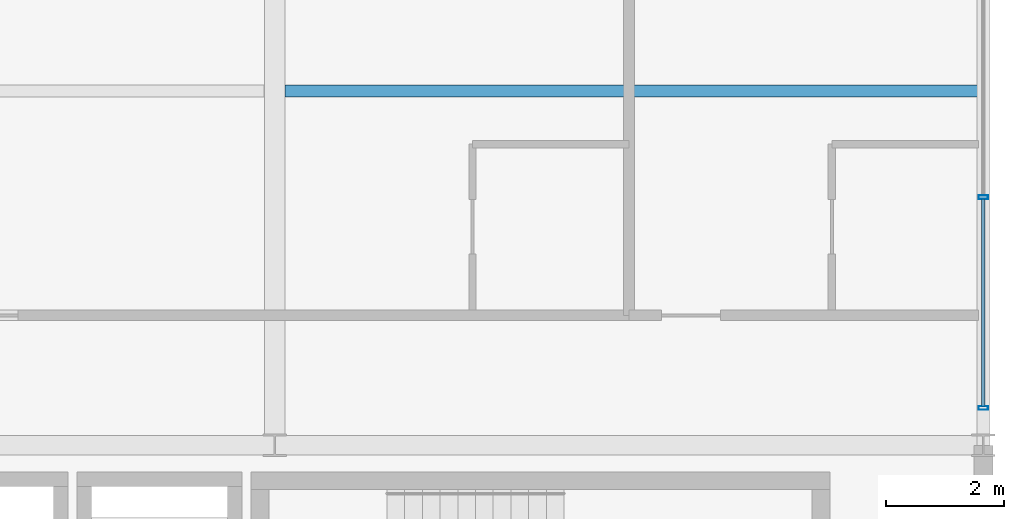
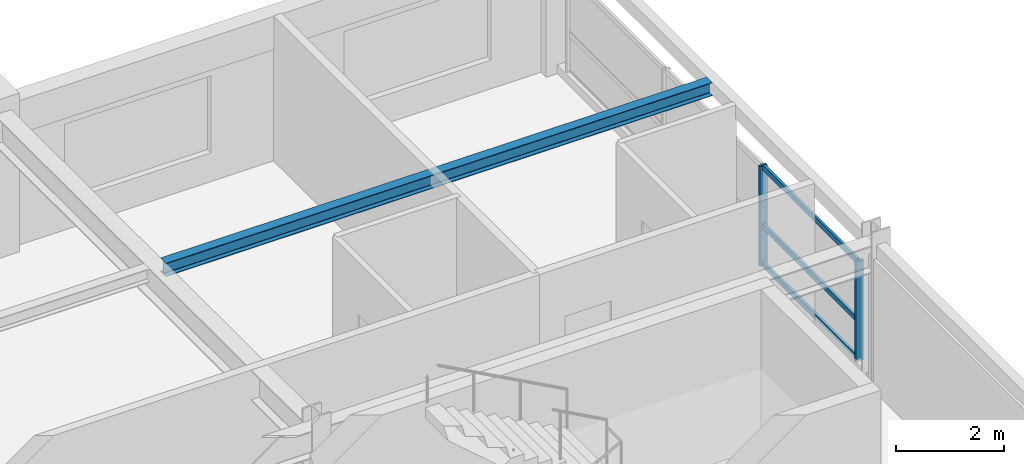
# One storey, part 13 of 22: 5 members, 1 beam, 1 element without a shape of its own.
"""IFC4 building model written with IfcOpenShell, lengths in metres."""

from ifc_helpers import new_model, si_unit, direction, frame, origin, origin_2d, place, context, subcontext, project, spatial, hollow_rectangle, i_section, extrude, material, material_profile, profile_set, type_object, element, aggregate, save


model = new_model("IFC4")

# Units and contexts
model_context = context("Model", 3, precision=1e-05, world=origin(), true_north=direction((0.0, 1.0)))
body_context = subcontext(model_context, "Body", "Model", "MODEL_VIEW")
ifc_project = project(units=[si_unit("LENGTHUNIT", "METRE"), si_unit("AREAUNIT", "SQUARE_METRE"), si_unit("VOLUMEUNIT", "CUBIC_METRE"), si_unit("PLANEANGLEUNIT", "RADIAN"), si_unit("MASSUNIT", "GRAM", prefix="KILO")], contexts=[model_context])

# Site, building, storey
site_placement = place(None, origin())
site = spatial("IfcSite", under=ifc_project, at=site_placement, CompositionType="ELEMENT")
building_placement = place(site_placement, origin())
building = spatial("IfcBuilding", under=site, at=building_placement, Name="Kaldorvane Square Convention Centre", CompositionType="ELEMENT")
storey_placement = place(building_placement, frame((0.0, 0.0, 63.600006103515625)))
storey = spatial("IfcBuildingStorey", under=building, at=storey_placement, Name="L15", CompositionType="ELEMENT", Elevation=63.600006103515625)

# Beam
ifc_material_1 = material(Name="Steel ASTM A992 Gr. 50", Category="steel")
ifc_material_profile_1 = material_profile(ifc_material_1, i_section(OverallWidth=0.2032928466796875, OverallDepth=0.3032989501953125, WebThickness=0.00750732421875, FlangeThickness=0.0131072998046875, FilletRadius=0.01019287109375, at=origin_2d()), Name="W12X40")
ifc_profile_set_1 = profile_set([ifc_material_profile_1], Name="Steel ASTM A992 Gr. 50")
beam_type = type_object("IfcBeamType", Name="BM-JS-W12X40", PredefinedType="JOIST", material=ifc_profile_set_1)
beam_placement = place(storey_placement, frame((66.17739868164062, 111.0, 3.1342926025390625), z_axis=(1.0, 0.0, 0.0), x_axis=(0.0, 1.0, 0.0)))
element("IfcBeam", 1, at=beam_placement, inside=storey, type_object=beam_type, Name="Secondary Floor Joist (L15)", PredefinedType="JOIST", context=body_context, shape_type="SweptSolid", body=[
    extrude(i_section(OverallWidth=0.2032928466796875, OverallDepth=0.3032989501953125, WebThickness=0.00750732421875, FlangeThickness=0.0131072998046875, FilletRadius=0.01019287109375, at=origin_2d()), origin(), (0.0, 0.0, 1.0), 11.72100830078125),
])

# Curtain wall, members
ifc_material_2 = material(Name="Anodized Aluminum and Low-E Insulated Glazing", Category="aluminium")
curtain_wall_type = type_object("IfcCurtainWallType", Name="CW-UNI-HTL-A", PredefinedType="USERDEFINED", material=ifc_material_2)
curtain_wall_placement = place(storey_placement, origin())
curtain_wall = element("IfcCurtainWall", 2, at=curtain_wall_placement, inside=storey, type_object=curtain_wall_type, Name="Curtain Wall CW-10 (L15)", ObjectType="UNITISED GLAZING", PredefinedType="USERDEFINED")
ifc_material_profile_2 = material_profile(ifc_material_2, hollow_rectangle(XDim=0.05999755859375, YDim=0.160003662109375, WallThickness=0.003204345703125, at=origin_2d()), Name="CWM-160X60")
ifc_profile_set_2 = profile_set([ifc_material_profile_2], Name="Anodized Aluminum and Low-E Insulated Glazing")
member_type_1 = type_object("IfcMemberType", Name="CW-MUL-160", PredefinedType="MULLION", material=ifc_profile_set_2)
member_1_placement = place(storey_placement, frame((78.0, 105.6300048828125, 0.149993896484375), z_axis=(0.0, 0.0, 1.0), x_axis=(0.0, 1.0, 0.0)))
member_1 = element("IfcMember", 3, at=member_1_placement, type_object=member_type_1, Name="CW-10 mullion 1", PredefinedType="MULLION", context=body_context, shape_type="SweptSolid", body=[
    extrude(hollow_rectangle(XDim=0.05999755859375, YDim=0.160003662109375, WallThickness=0.003204345703125, at=origin_2d()), origin(), (0.0, 0.0, 1.0), 2.2599945068359375),
])
member_2_placement = place(storey_placement, frame((78.0, 109.19999694824219, 0.149993896484375), z_axis=(0.0, 0.0, 1.0), x_axis=(0.0, 1.0, 0.0)))
member_2 = element("IfcMember", 4, at=member_2_placement, type_object=member_type_1, Name="CW-10 mullion 2", PredefinedType="MULLION", context=body_context, shape_type="SweptSolid", body=[
    extrude(hollow_rectangle(XDim=0.05999755859375, YDim=0.160003662109375, WallThickness=0.003204345703125, at=origin_2d()), origin(), (0.0, 0.0, 1.0), 2.2599945068359375),
])
ifc_material_profile_3 = material_profile(ifc_material_2, hollow_rectangle(XDim=0.05499267578125, YDim=0.1199951171875, WallThickness=0.0030059814453125, at=origin_2d()), Name="CWT-120X55")
ifc_profile_set_3 = profile_set([ifc_material_profile_3], Name="Anodized Aluminum and Low-E Insulated Glazing")
member_type_2 = type_object("IfcMemberType", Name="CW-TRN-120", PredefinedType="USERDEFINED", material=ifc_profile_set_3)
member_3_placement = place(storey_placement, frame((78.0, 105.66000366210938, 0.177490234375), z_axis=(0.0, 1.0, 0.0), x_axis=(-1.0, 0.0, 0.0)))
member_3 = element("IfcMember", 5, at=member_3_placement, type_object=member_type_2, Name="CW-10 transom 1.1", ObjectType="TRANSOM", PredefinedType="USERDEFINED", context=body_context, shape_type="SweptSolid", body=[
    extrude(hollow_rectangle(XDim=0.05499267578125, YDim=0.1199951171875, WallThickness=0.0030059814453125, at=origin_2d()), origin(), (0.0, 0.0, 1.0), 3.5099945068359375),
])
member_4_placement = place(storey_placement, frame((78.0, 105.66000366210938, 1.04998779296875), z_axis=(0.0, 1.0, 0.0), x_axis=(-1.0, 0.0, 0.0)))
member_4 = element("IfcMember", 6, at=member_4_placement, type_object=member_type_2, Name="CW-10 transom 1.2", ObjectType="TRANSOM", PredefinedType="USERDEFINED", context=body_context, shape_type="SweptSolid", body=[
    extrude(hollow_rectangle(XDim=0.05499267578125, YDim=0.1199951171875, WallThickness=0.0030059814453125, at=origin_2d()), origin(), (0.0, 0.0, 1.0), 3.5099945068359375),
])
member_5_placement = place(storey_placement, frame((78.0, 105.66000366210938, 2.3824920654296875), z_axis=(0.0, 1.0, 0.0), x_axis=(-1.0, 0.0, 0.0)))
member_5 = element("IfcMember", 7, at=member_5_placement, type_object=member_type_2, Name="CW-10 transom 1.3", ObjectType="TRANSOM", PredefinedType="USERDEFINED", context=body_context, shape_type="SweptSolid", body=[
    extrude(hollow_rectangle(XDim=0.05499267578125, YDim=0.1199951171875, WallThickness=0.0030059814453125, at=origin_2d()), origin(), (0.0, 0.0, 1.0), 3.5099945068359375),
])
aggregate(curtain_wall, [member_1, member_2, member_3, member_4, member_5])

save(model, "model.ifc")
